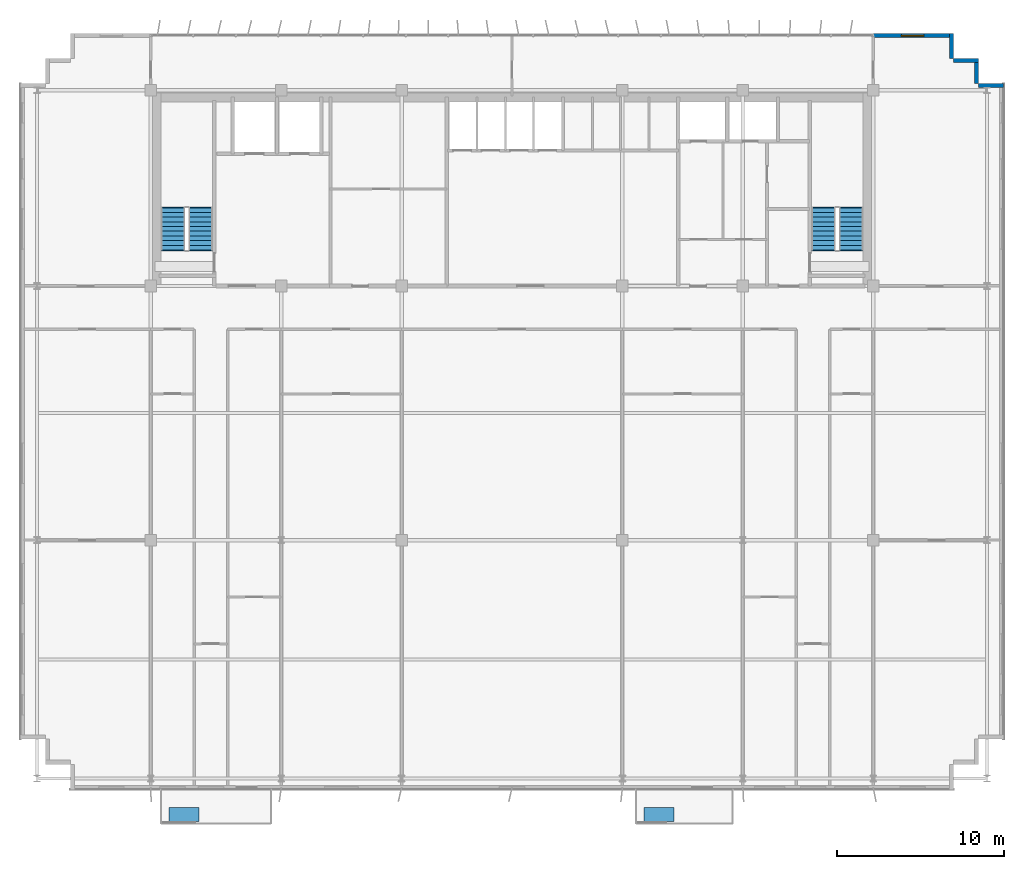
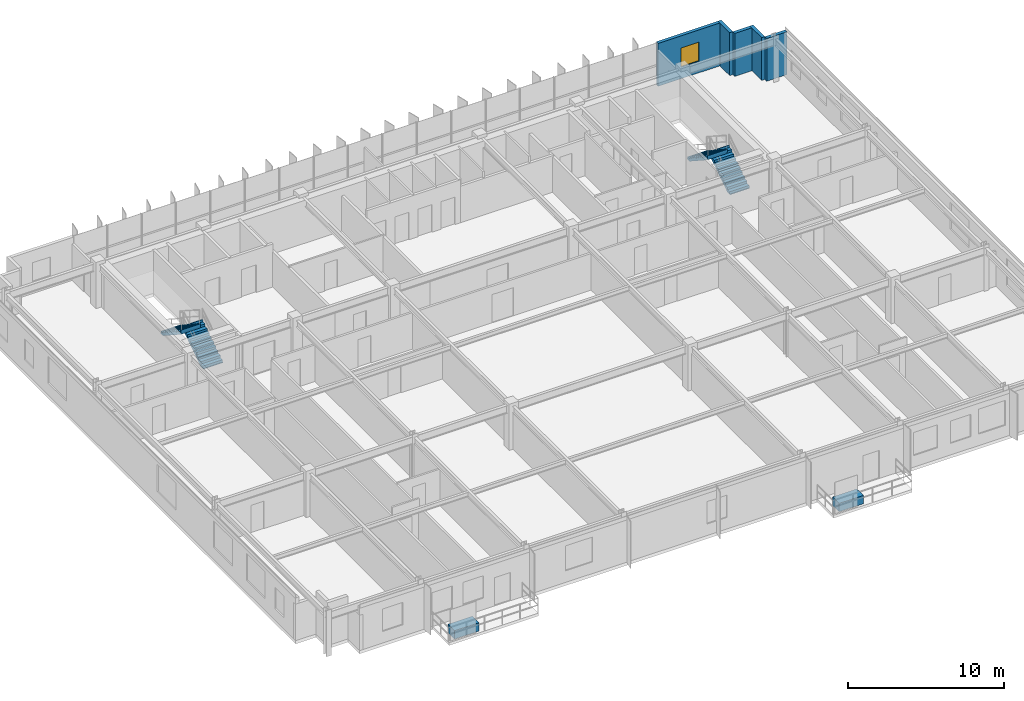
# One storey, part 18 of 20: 5 walls, 4 stair flights, 2 discrete accessories, 1 window, 1 opening, 2 elements without a shape of their own.
"""IFC4 building model written with IfcOpenShell, lengths in metres."""

from ifc_helpers import new_model, si_unit, direction, frame, frame_2d, origin, origin_2d, place, context, subcontext, project, spatial, polyline, rectangle, outline, extrude, source, transform, mapped, material, layer, layer_set, type_object, element, fill, aggregate, save


model = new_model("IFC4")

# Units and contexts
model_context = context("Model", 3, precision=1e-05, world=origin(), true_north=direction((0.0, 1.0)))
body_context = subcontext(model_context, "Body", "Model", "MODEL_VIEW")
ifc_project = project(units=[si_unit("LENGTHUNIT", "METRE"), si_unit("AREAUNIT", "SQUARE_METRE"), si_unit("VOLUMEUNIT", "CUBIC_METRE"), si_unit("PLANEANGLEUNIT", "RADIAN"), si_unit("MASSUNIT", "GRAM", prefix="KILO")], contexts=[model_context])

# Site, building, storey
site_placement = place(None, origin())
site = spatial("IfcSite", under=ifc_project, at=site_placement, CompositionType="ELEMENT")
building_placement = place(site_placement, origin())
building = spatial("IfcBuilding", under=site, at=building_placement, Name="Trelvane Seafront Commons", CompositionType="ELEMENT")
storey_placement = place(building_placement, frame((0.0, 0.0, 142.89990234375)))
storey = spatial("IfcBuildingStorey", under=building, at=storey_placement, Name="L37", CompositionType="ELEMENT", Elevation=142.89990234375)

# Wall, opening, window
ifc_material_1 = material(Name="Precast concrete C40/50", Category="concrete")
ifc_layer = layer(ifc_material_1, 0.239990234375, Name="ARCH-WALL-EXT240")
ifc_layer_set = layer_set([ifc_layer], Name="Precast concrete C40/50")
wall_type = type_object("IfcWallType", Name="ARCH-WALL-EXT240", PredefinedType="SOLIDWALL", material=ifc_layer_set)
wall_placement = place(storey_placement, frame((58.800048828125, 48.3701171875, 0.0), z_axis=(0.0, 0.0, 1.0), x_axis=(1.0, 0.0, 0.0)))
wall = element("IfcWall", 1, at=wall_placement, inside=storey, type_object=wall_type, Name="EW-L37-NE-0717", PredefinedType="SOLIDWALL", context=body_context, shape_type="SweptSolid", body=[
    extrude(rectangle(XDim=4.699951171875, YDim=0.239990234375, at=frame_2d((2.35009765625, 0.0))), origin(), (0.0, 0.0, 1.0), 3.35009765625),
])
opening_placement = place(wall_placement, frame((1.675048828125, 0.0, 0.89990234375)))
opening = element("IfcOpeningElement", 2, at=opening_placement, cuts=wall, Name="Opening W09", PredefinedType="OPENING", context=body_context, shape_type="SweptSolid", body=[
    extrude(rectangle(XDim=1.35009765625, YDim=1.5, at=frame_2d((0.675048828125, 0.75))), frame((0.0, 0.1298828125, 0.0), z_axis=(0.0, -1.0, 0.0), x_axis=(1.0, 0.0, 0.0)), (0.0, 0.0, 1.0), 0.260009765625),
])
ifc_material_2 = material(Name="Low-E coastal double glazing", Category="glass")
window_type = type_object("IfcWindowType", Name="ARCH-WIN-W09", PartitioningType="SINGLE_PANEL", PredefinedType="WINDOW", material=ifc_material_2)
shared_shape_1 = source(origin(), body_context, "Body", "SweptSolid", [
    extrude(rectangle(XDim=1.35009765625, YDim=1.5, at=frame_2d((0.675048828125, 0.75))), frame((0.0, 0.030029296875, 0.0), z_axis=(0.0, -1.0, 0.0), x_axis=(1.0, 0.0, 0.0)), (0.0, 0.0, 1.0), 0.06005859375),
])
window_placement = place(opening_placement, origin())
window = element("IfcWindow", 3, at=window_placement, inside=storey, type_object=window_type, Name="WIN-L37-00851", OverallHeight=1.5, OverallWidth=1.35009765625, PartitioningType="SINGLE_PANEL", PredefinedType="WINDOW", context=body_context, shape_type="MappedRepresentation", body=[
    mapped(shared_shape_1, transform((0.0, 0.0, 0.0), x_axis=(1.0, 0.0, 0.0), y_axis=(0.0, 1.0, 0.0), z_axis=(0.0, 0.0, 1.0), scale=1.0)),
])
fill(opening, window)

# Walls
for number, where, z_axis, x_axis, name in (
    (4, (63.47998046875, 48.5, 0.0), (0.0, 0.0, 1.0), (0.0, -1.0, 0.0), "EW-L37-00726"),
    (5, (63.60009765625, 46.8798828125, 0.0), (0.0, 0.0, 1.0), (1.0, 0.0, 0.0), "EW-L37-00727"),
    (6, (64.97998046875, 47.0, 0.0), (0.0, 0.0, 1.0), (0.0, -1.0, 0.0), "EW-L37-00728"),
    (7, (65.10009765625, 45.3798828125, 0.0), (0.0, 0.0, 1.0), (1.0, 0.0, 0.0), "EW-L37-00729"),
):
    element("IfcWall", number, at=place(storey_placement, frame(where, z_axis=z_axis, x_axis=x_axis)), inside=storey, type_object=wall_type, Name=name, PredefinedType="SOLIDWALL", context=body_context, shape_type="SweptSolid", body=[
        extrude(rectangle(XDim=1.5, YDim=0.239990234375, at=frame_2d((0.75, 0.0))), origin(), (0.0, 0.0, 1.0), 3.35009765625),
    ])

# Stair, stair flights
ifc_material_3 = material(Name="Concrete C40/50", Category="concrete")
stair_type_1 = type_object("IfcStairType", Name="ARCH-STR-ST-1-R20-180", PredefinedType="HALF_TURN_STAIR", material=ifc_material_3)
stair_1_placement = place(storey_placement, origin())
stair_1 = element("IfcStair", 8, at=stair_1_placement, inside=storey, type_object=stair_type_1, Name="L37 West Protected Firefighting Exit Stair ST-1", PredefinedType="HALF_TURN_STAIR")
stair_flight_type_1 = type_object("IfcStairFlightType", Name="ARCH-FLG-ST-1-R20-180", PredefinedType="STRAIGHT", material=ifc_material_3)
shared_shape_2 = source(origin(), body_context, "Body", "SweptSolid", [
    extrude(outline(polyline([(-0.050048828125, -0.02001953125), (-0.050048828125, 0.0), (0.0, 0.0), (0.0, 0.179931640625), (0.280029296875, 0.179931640625), (0.280029296875, 0.360107421875), (0.56005859375, 0.360107421875), (0.56005859375, 0.5400390625), (0.840087890625, 0.5400390625), (0.840087890625, 0.719970703125), (1.1201171875, 0.719970703125), (1.1201171875, 0.89990234375), (1.39990234375, 0.89990234375), (1.39990234375, 1.080078125), (1.679931640625, 1.080078125), (1.679931640625, 1.260009765625), (1.9599609375, 1.260009765625), (1.9599609375, 1.43994140625), (2.239990234375, 1.43994140625), (2.239990234375, 1.6201171875), (2.52001953125, 1.6201171875), (2.52001953125, 1.800048828125), (2.570068359375, 1.800048828125), (2.570068359375, 1.650146484375), (2.52001953125, 1.44189453125), (0.277099609375, -0.02001953125), (-0.050048828125, -0.02001953125)])), frame((0.0, 0.72509765625, 0.0), z_axis=(0.0, -1.0, 0.0), x_axis=(1.0, 0.0, 0.0)), (0.0, 0.0, 1.0), 1.449951171875),
])
stair_flight_1_placement = place(storey_placement, frame((18.574951171875, 35.550048828125, 0.0), z_axis=(0.0, 0.0, 1.0), x_axis=(0.0, 1.0, 0.0)))
stair_flight_1 = element("IfcStairFlight", 9, at=stair_flight_1_placement, type_object=stair_flight_type_1, Name="ST-1 flight 1", NumberOfRisers=10, NumberOfTreads=9, PredefinedType="STRAIGHT", RiserHeight=0.18, TreadLength=0.28, context=body_context, shape_type="MappedRepresentation", body=[
    mapped(shared_shape_2, transform((0.0, 0.0, 0.0), x_axis=(1.0, 0.0, 0.0), y_axis=(0.0, 1.0, 0.0), z_axis=(0.0, 0.0, 1.0), scale=1.0)),
])
stair_flight_2_placement = place(storey_placement, frame((16.925048828125, 38.070068359375, 1.800048828125), z_axis=(0.0, 0.0, 1.0), x_axis=(0.0, -1.0, 0.0)))
stair_flight_2 = element("IfcStairFlight", 10, at=stair_flight_2_placement, type_object=stair_flight_type_1, Name="ST-1 flight 2", NumberOfRisers=10, NumberOfTreads=9, PredefinedType="STRAIGHT", RiserHeight=0.18, TreadLength=0.28, context=body_context, shape_type="MappedRepresentation", body=[
    mapped(shared_shape_2, transform((0.0, 0.0, 0.0), x_axis=(1.0, 0.0, 0.0), y_axis=(0.0, 1.0, 0.0), z_axis=(0.0, 0.0, 1.0), scale=1.0)),
])
aggregate(stair_1, [stair_flight_1, stair_flight_2])

stair_type_2 = type_object("IfcStairType", Name="ARCH-STR-ST-2-R20-180", PredefinedType="HALF_TURN_STAIR", material=ifc_material_3)
stair_2_placement = place(storey_placement, origin())
stair_2 = element("IfcStair", 11, at=stair_2_placement, inside=storey, type_object=stair_type_2, Name="L37 East Protected Firefighting Exit Stair ST-2", PredefinedType="HALF_TURN_STAIR")
stair_flight_type_2 = type_object("IfcStairFlightType", Name="ARCH-FLG-ST-2-R20-180", PredefinedType="STRAIGHT", material=ifc_material_3)
stair_flight_3_placement = place(storey_placement, frame((57.47509765625, 35.550048828125, 0.0), z_axis=(0.0, 0.0, 1.0), x_axis=(0.0, 1.0, 0.0)))
stair_flight_3 = element("IfcStairFlight", 12, at=stair_flight_3_placement, type_object=stair_flight_type_2, Name="ST-2 flight 1", NumberOfRisers=10, NumberOfTreads=9, PredefinedType="STRAIGHT", RiserHeight=0.18, TreadLength=0.28, context=body_context, shape_type="MappedRepresentation", body=[
    mapped(shared_shape_2, transform((0.0, 0.0, 0.0), x_axis=(1.0, 0.0, 0.0), y_axis=(0.0, 1.0, 0.0), z_axis=(0.0, 0.0, 1.0), scale=1.0)),
])
stair_flight_4_placement = place(storey_placement, frame((55.824951171875, 38.070068359375, 1.800048828125), z_axis=(0.0, 0.0, 1.0), x_axis=(0.0, -1.0, 0.0)))
stair_flight_4 = element("IfcStairFlight", 13, at=stair_flight_4_placement, type_object=stair_flight_type_2, Name="ST-2 flight 2", NumberOfRisers=10, NumberOfTreads=9, PredefinedType="STRAIGHT", RiserHeight=0.18, TreadLength=0.28, context=body_context, shape_type="MappedRepresentation", body=[
    mapped(shared_shape_2, transform((0.0, 0.0, 0.0), x_axis=(1.0, 0.0, 0.0), y_axis=(0.0, 1.0, 0.0), z_axis=(0.0, 0.0, 1.0), scale=1.0)),
])
aggregate(stair_2, [stair_flight_3, stair_flight_4])

# Discrete accessories
discrete_accessory_type = type_object("IfcDiscreteAccessoryType", Name="ARCH-ACC-PLANTER", PredefinedType="USERDEFINED", material=ifc_material_1)
shared_shape_3 = source(origin(), body_context, "Body", "SweptSolid", [
    extrude(rectangle(XDim=1.800048828125, YDim=0.85009765625, at=origin_2d()), origin(), (0.0, 0.0, 1.0), 0.64990234375),
])
for number, where, z_axis, x_axis, name in (
    (14, (17.60009765625, 1.800048828125, 0.000244140625), (0.0, 0.0, 1.0), (1.0, 0.0, 0.0), "PLN-L37-B0-042"),
    (15, (46.0, 1.800048828125, 0.000244140625), (0.0, 0.0, 1.0), (1.0, 0.0, 0.0), "PLN-L37-B1-043"),
):
    element("IfcDiscreteAccessory", number, at=place(storey_placement, frame(where, z_axis=z_axis, x_axis=x_axis)), inside=storey, type_object=discrete_accessory_type, Name=name, ObjectType="BALCONY TREE PLANTER", PredefinedType="USERDEFINED", context=body_context, shape_type="MappedRepresentation", body=[
        mapped(shared_shape_3, transform((0.0, 0.0, 0.0), x_axis=(1.0, 0.0, 0.0), y_axis=(0.0, 1.0, 0.0), z_axis=(0.0, 0.0, 1.0), scale=1.0)),
    ])

save(model, "model.ifc")
